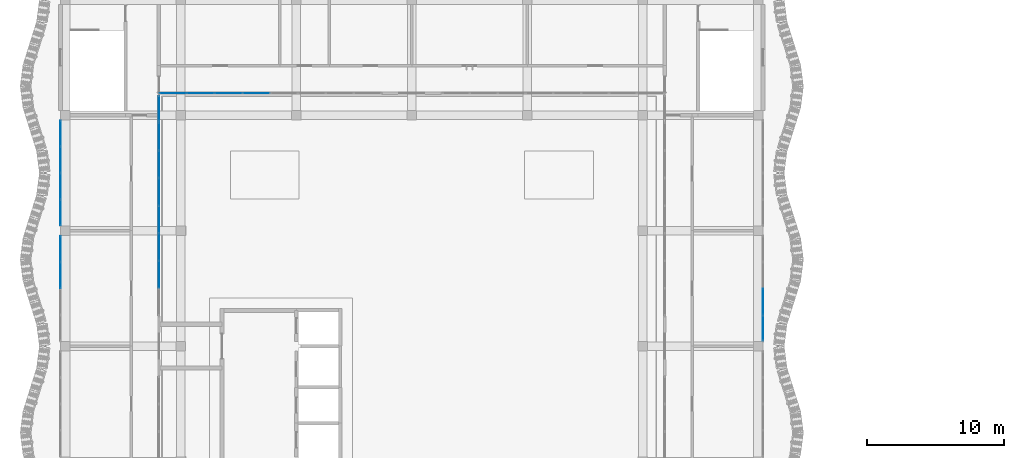
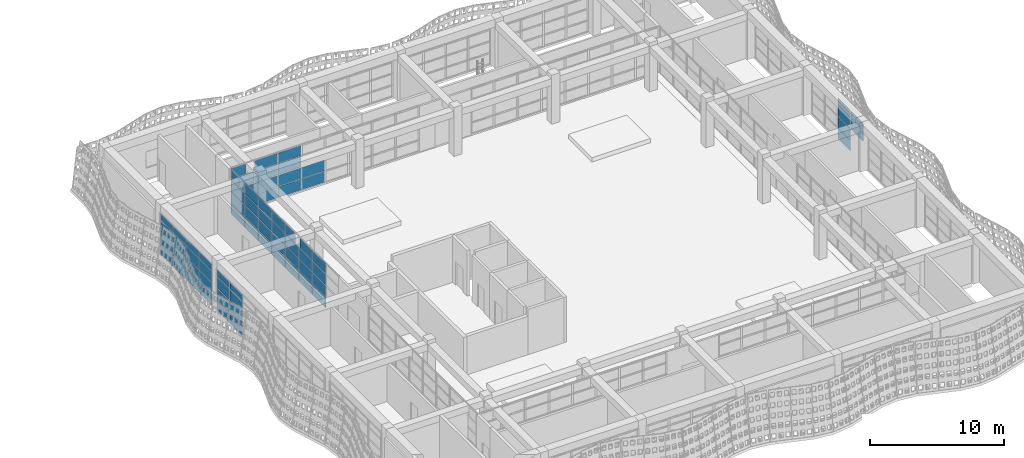
# One storey, part 31 of 85: 72 plates, 5 elements without a shape of their own.
"""IFC4 building model written with IfcOpenShell, lengths in metres."""

from ifc_helpers import new_model, si_unit, direction, frame, origin, origin_2d, place, context, subcontext, project, spatial, rectangle, extrude, material, layer, layer_set, type_object, element, aggregate, save


model = new_model("IFC4")

# Units and contexts
model_context = context("Model", 3, precision=1e-05, world=origin(), true_north=direction((0.0, 1.0)))
body_context = subcontext(model_context, "Body", "Model", "MODEL_VIEW")
ifc_project = project(units=[si_unit("LENGTHUNIT", "METRE"), si_unit("AREAUNIT", "SQUARE_METRE"), si_unit("VOLUMEUNIT", "CUBIC_METRE"), si_unit("PLANEANGLEUNIT", "RADIAN"), si_unit("MASSUNIT", "GRAM", prefix="KILO")], contexts=[model_context])

# Site, building, storey
site_placement = place(None, origin())
site = spatial("IfcSite", under=ifc_project, at=site_placement, CompositionType="ELEMENT")
building_placement = place(site_placement, origin())
building = spatial("IfcBuilding", under=site, at=building_placement, Name="Rain Tree Exposition and Congress Centre", CompositionType="ELEMENT")
storey_placement = place(building_placement, frame((0.0, 0.0, 15.0)))
storey = spatial("IfcBuildingStorey", under=building, at=storey_placement, Name="L03", CompositionType="ELEMENT", Elevation=15.0)

# Curtain wall, plates
ifc_material_1 = material(Name="Aluminium curtain wall", Category="aluminium")
curtain_wall_type = type_object("IfcCurtainWallType", Name="Wing curtain wall 1925", PredefinedType="NOTDEFINED", material=ifc_material_1)
curtain_wall_1_placement = place(storey_placement, origin())
curtain_wall_1 = element("IfcCurtainWall", 1, at=curtain_wall_1_placement, inside=storey, type_object=curtain_wall_type, Name="Curtain wall CWW410", PredefinedType="NOTDEFINED")
ifc_material_2 = material(Name="Double glazed unit", Category="glass")
ifc_layer = layer(ifc_material_2, 0.028076171875)
ifc_layer_set = layer_set([ifc_layer], Name="Double glazed unit")
plate_type = type_object("IfcPlateType", Name="Wing glazing panel 28", PredefinedType="CURTAIN_PANEL", material=ifc_layer_set)
plate_1_placement = place(storey_placement, frame((-0.35009765625, 30.362548828125, 0.06005859375), z_axis=(0.0, 0.0, 1.0), x_axis=(0.0, 1.0, 0.0)))
plate_1 = element("IfcPlate", 2, at=plate_1_placement, type_object=plate_type, Name="CWW410 panel 3.1", PredefinedType="CURTAIN_PANEL", context=body_context, shape_type="SweptSolid", body=[
    extrude(rectangle(XDim=1.864990234375, YDim=0.028076171875, at=origin_2d()), origin(), (0.0, 0.0, 1.0), 0.9599609375),
])
plate_2_placement = place(storey_placement, frame((-0.35009765625, 30.362548828125, 1.080078125), z_axis=(0.0, 0.0, 1.0), x_axis=(0.0, 1.0, 0.0)))
plate_2 = element("IfcPlate", 3, at=plate_2_placement, type_object=plate_type, Name="CWW410 panel 3.2", PredefinedType="CURTAIN_PANEL", context=body_context, shape_type="SweptSolid", body=[
    extrude(rectangle(XDim=1.864990234375, YDim=0.028076171875, at=origin_2d()), origin(), (0.0, 0.0, 1.0), 0.989990234375),
])
plate_3_placement = place(storey_placement, frame((-0.35009765625, 30.362548828125, 2.1298828125), z_axis=(0.0, 0.0, 1.0), x_axis=(0.0, 1.0, 0.0)))
plate_3 = element("IfcPlate", 4, at=plate_3_placement, type_object=plate_type, Name="CWW410 panel 3.3", PredefinedType="CURTAIN_PANEL", context=body_context, shape_type="SweptSolid", body=[
    extrude(rectangle(XDim=1.864990234375, YDim=0.028076171875, at=origin_2d()), origin(), (0.0, 0.0, 1.0), 0.989990234375),
])
plate_4_placement = place(storey_placement, frame((-0.35009765625, 30.362548828125, 3.179931640625), z_axis=(0.0, 0.0, 1.0), x_axis=(0.0, 1.0, 0.0)))
plate_4 = element("IfcPlate", 5, at=plate_4_placement, type_object=plate_type, Name="CWW410 panel 3.4", PredefinedType="CURTAIN_PANEL", context=body_context, shape_type="SweptSolid", body=[
    extrude(rectangle(XDim=1.864990234375, YDim=0.028076171875, at=origin_2d()), origin(), (0.0, 0.0, 1.0), 0.56005859375),
])
plate_5_placement = place(storey_placement, frame((-0.35009765625, 32.2724609375, 0.06005859375), z_axis=(0.0, 0.0, 1.0), x_axis=(0.0, 1.0, 0.0)))
plate_5 = element("IfcPlate", 6, at=plate_5_placement, type_object=plate_type, Name="CWW410 panel 4.1", PredefinedType="CURTAIN_PANEL", context=body_context, shape_type="SweptSolid", body=[
    extrude(rectangle(XDim=1.8349609375, YDim=0.028076171875, at=origin_2d()), origin(), (0.0, 0.0, 1.0), 0.9599609375),
])
plate_6_placement = place(storey_placement, frame((-0.35009765625, 32.2724609375, 1.080078125), z_axis=(0.0, 0.0, 1.0), x_axis=(0.0, 1.0, 0.0)))
plate_6 = element("IfcPlate", 7, at=plate_6_placement, type_object=plate_type, Name="CWW410 panel 4.2", PredefinedType="CURTAIN_PANEL", context=body_context, shape_type="SweptSolid", body=[
    extrude(rectangle(XDim=1.8349609375, YDim=0.028076171875, at=origin_2d()), origin(), (0.0, 0.0, 1.0), 0.989990234375),
])
plate_7_placement = place(storey_placement, frame((-0.35009765625, 32.2724609375, 2.1298828125), z_axis=(0.0, 0.0, 1.0), x_axis=(0.0, 1.0, 0.0)))
plate_7 = element("IfcPlate", 8, at=plate_7_placement, type_object=plate_type, Name="CWW410 panel 4.3", PredefinedType="CURTAIN_PANEL", context=body_context, shape_type="SweptSolid", body=[
    extrude(rectangle(XDim=1.8349609375, YDim=0.028076171875, at=origin_2d()), origin(), (0.0, 0.0, 1.0), 0.989990234375),
])
plate_8_placement = place(storey_placement, frame((-0.35009765625, 32.2724609375, 3.179931640625), z_axis=(0.0, 0.0, 1.0), x_axis=(0.0, 1.0, 0.0)))
plate_8 = element("IfcPlate", 9, at=plate_8_placement, type_object=plate_type, Name="CWW410 panel 4.4", PredefinedType="CURTAIN_PANEL", context=body_context, shape_type="SweptSolid", body=[
    extrude(rectangle(XDim=1.8349609375, YDim=0.028076171875, at=origin_2d()), origin(), (0.0, 0.0, 1.0), 0.56005859375),
])
aggregate(curtain_wall_1, [plate_1, plate_2, plate_3, plate_4, plate_5, plate_6, plate_7, plate_8])

curtain_wall_2_placement = place(storey_placement, origin())
curtain_wall_2 = element("IfcCurtainWall", 10, at=curtain_wall_2_placement, inside=storey, type_object=curtain_wall_type, Name="Curtain wall CWW411", PredefinedType="NOTDEFINED")
plate_9_placement = place(storey_placement, frame((-0.35009765625, 34.927490234375, 0.06005859375), z_axis=(0.0, 0.0, 1.0), x_axis=(0.0, 1.0, 0.0)))
plate_9 = element("IfcPlate", 11, at=plate_9_placement, type_object=plate_type, Name="CWW411 panel 1.1", PredefinedType="CURTAIN_PANEL", context=body_context, shape_type="SweptSolid", body=[
    extrude(rectangle(XDim=1.8349609375, YDim=0.028076171875, at=origin_2d()), origin(), (0.0, 0.0, 1.0), 0.9599609375),
])
plate_10_placement = place(storey_placement, frame((-0.35009765625, 34.927490234375, 1.080078125), z_axis=(0.0, 0.0, 1.0), x_axis=(0.0, 1.0, 0.0)))
plate_10 = element("IfcPlate", 12, at=plate_10_placement, type_object=plate_type, Name="CWW411 panel 1.2", PredefinedType="CURTAIN_PANEL", context=body_context, shape_type="SweptSolid", body=[
    extrude(rectangle(XDim=1.8349609375, YDim=0.028076171875, at=origin_2d()), origin(), (0.0, 0.0, 1.0), 0.989990234375),
])
plate_11_placement = place(storey_placement, frame((-0.35009765625, 34.927490234375, 2.1298828125), z_axis=(0.0, 0.0, 1.0), x_axis=(0.0, 1.0, 0.0)))
plate_11 = element("IfcPlate", 13, at=plate_11_placement, type_object=plate_type, Name="CWW411 panel 1.3", PredefinedType="CURTAIN_PANEL", context=body_context, shape_type="SweptSolid", body=[
    extrude(rectangle(XDim=1.8349609375, YDim=0.028076171875, at=origin_2d()), origin(), (0.0, 0.0, 1.0), 0.989990234375),
])
plate_12_placement = place(storey_placement, frame((-0.35009765625, 34.927490234375, 3.179931640625), z_axis=(0.0, 0.0, 1.0), x_axis=(0.0, 1.0, 0.0)))
plate_12 = element("IfcPlate", 14, at=plate_12_placement, type_object=plate_type, Name="CWW411 panel 1.4", PredefinedType="CURTAIN_PANEL", context=body_context, shape_type="SweptSolid", body=[
    extrude(rectangle(XDim=1.8349609375, YDim=0.028076171875, at=origin_2d()), origin(), (0.0, 0.0, 1.0), 0.56005859375),
])
plate_13_placement = place(storey_placement, frame((-0.35009765625, 36.83740234375, 0.06005859375), z_axis=(0.0, 0.0, 1.0), x_axis=(0.0, 1.0, 0.0)))
plate_13 = element("IfcPlate", 15, at=plate_13_placement, type_object=plate_type, Name="CWW411 panel 2.1", PredefinedType="CURTAIN_PANEL", context=body_context, shape_type="SweptSolid", body=[
    extrude(rectangle(XDim=1.864990234375, YDim=0.028076171875, at=origin_2d()), origin(), (0.0, 0.0, 1.0), 0.9599609375),
])
plate_14_placement = place(storey_placement, frame((-0.35009765625, 36.83740234375, 1.080078125), z_axis=(0.0, 0.0, 1.0), x_axis=(0.0, 1.0, 0.0)))
plate_14 = element("IfcPlate", 16, at=plate_14_placement, type_object=plate_type, Name="CWW411 panel 2.2", PredefinedType="CURTAIN_PANEL", context=body_context, shape_type="SweptSolid", body=[
    extrude(rectangle(XDim=1.864990234375, YDim=0.028076171875, at=origin_2d()), origin(), (0.0, 0.0, 1.0), 0.989990234375),
])
plate_15_placement = place(storey_placement, frame((-0.35009765625, 36.83740234375, 2.1298828125), z_axis=(0.0, 0.0, 1.0), x_axis=(0.0, 1.0, 0.0)))
plate_15 = element("IfcPlate", 17, at=plate_15_placement, type_object=plate_type, Name="CWW411 panel 2.3", PredefinedType="CURTAIN_PANEL", context=body_context, shape_type="SweptSolid", body=[
    extrude(rectangle(XDim=1.864990234375, YDim=0.028076171875, at=origin_2d()), origin(), (0.0, 0.0, 1.0), 0.989990234375),
])
plate_16_placement = place(storey_placement, frame((-0.35009765625, 36.83740234375, 3.179931640625), z_axis=(0.0, 0.0, 1.0), x_axis=(0.0, 1.0, 0.0)))
plate_16 = element("IfcPlate", 18, at=plate_16_placement, type_object=plate_type, Name="CWW411 panel 2.4", PredefinedType="CURTAIN_PANEL", context=body_context, shape_type="SweptSolid", body=[
    extrude(rectangle(XDim=1.864990234375, YDim=0.028076171875, at=origin_2d()), origin(), (0.0, 0.0, 1.0), 0.56005859375),
])
plate_17_placement = place(storey_placement, frame((-0.35009765625, 38.762451171875, 0.06005859375), z_axis=(0.0, 0.0, 1.0), x_axis=(0.0, 1.0, 0.0)))
plate_17 = element("IfcPlate", 19, at=plate_17_placement, type_object=plate_type, Name="CWW411 panel 3.1", PredefinedType="CURTAIN_PANEL", context=body_context, shape_type="SweptSolid", body=[
    extrude(rectangle(XDim=1.864990234375, YDim=0.028076171875, at=origin_2d()), origin(), (0.0, 0.0, 1.0), 0.9599609375),
])
plate_18_placement = place(storey_placement, frame((-0.35009765625, 38.762451171875, 1.080078125), z_axis=(0.0, 0.0, 1.0), x_axis=(0.0, 1.0, 0.0)))
plate_18 = element("IfcPlate", 20, at=plate_18_placement, type_object=plate_type, Name="CWW411 panel 3.2", PredefinedType="CURTAIN_PANEL", context=body_context, shape_type="SweptSolid", body=[
    extrude(rectangle(XDim=1.864990234375, YDim=0.028076171875, at=origin_2d()), origin(), (0.0, 0.0, 1.0), 0.989990234375),
])
plate_19_placement = place(storey_placement, frame((-0.35009765625, 38.762451171875, 2.1298828125), z_axis=(0.0, 0.0, 1.0), x_axis=(0.0, 1.0, 0.0)))
plate_19 = element("IfcPlate", 21, at=plate_19_placement, type_object=plate_type, Name="CWW411 panel 3.3", PredefinedType="CURTAIN_PANEL", context=body_context, shape_type="SweptSolid", body=[
    extrude(rectangle(XDim=1.864990234375, YDim=0.028076171875, at=origin_2d()), origin(), (0.0, 0.0, 1.0), 0.989990234375),
])
plate_20_placement = place(storey_placement, frame((-0.35009765625, 38.762451171875, 3.179931640625), z_axis=(0.0, 0.0, 1.0), x_axis=(0.0, 1.0, 0.0)))
plate_20 = element("IfcPlate", 22, at=plate_20_placement, type_object=plate_type, Name="CWW411 panel 3.4", PredefinedType="CURTAIN_PANEL", context=body_context, shape_type="SweptSolid", body=[
    extrude(rectangle(XDim=1.864990234375, YDim=0.028076171875, at=origin_2d()), origin(), (0.0, 0.0, 1.0), 0.56005859375),
])
plate_21_placement = place(storey_placement, frame((-0.35009765625, 40.672607421875, 0.06005859375), z_axis=(0.0, 0.0, 1.0), x_axis=(0.0, 1.0, 0.0)))
plate_21 = element("IfcPlate", 23, at=plate_21_placement, type_object=plate_type, Name="CWW411 panel 4.1", PredefinedType="CURTAIN_PANEL", context=body_context, shape_type="SweptSolid", body=[
    extrude(rectangle(XDim=1.8349609375, YDim=0.028076171875, at=origin_2d()), origin(), (0.0, 0.0, 1.0), 0.9599609375),
])
plate_22_placement = place(storey_placement, frame((-0.35009765625, 40.672607421875, 1.080078125), z_axis=(0.0, 0.0, 1.0), x_axis=(0.0, 1.0, 0.0)))
plate_22 = element("IfcPlate", 24, at=plate_22_placement, type_object=plate_type, Name="CWW411 panel 4.2", PredefinedType="CURTAIN_PANEL", context=body_context, shape_type="SweptSolid", body=[
    extrude(rectangle(XDim=1.8349609375, YDim=0.028076171875, at=origin_2d()), origin(), (0.0, 0.0, 1.0), 0.989990234375),
])
plate_23_placement = place(storey_placement, frame((-0.35009765625, 40.672607421875, 2.1298828125), z_axis=(0.0, 0.0, 1.0), x_axis=(0.0, 1.0, 0.0)))
plate_23 = element("IfcPlate", 25, at=plate_23_placement, type_object=plate_type, Name="CWW411 panel 4.3", PredefinedType="CURTAIN_PANEL", context=body_context, shape_type="SweptSolid", body=[
    extrude(rectangle(XDim=1.8349609375, YDim=0.028076171875, at=origin_2d()), origin(), (0.0, 0.0, 1.0), 0.989990234375),
])
plate_24_placement = place(storey_placement, frame((-0.35009765625, 40.672607421875, 3.179931640625), z_axis=(0.0, 0.0, 1.0), x_axis=(0.0, 1.0, 0.0)))
plate_24 = element("IfcPlate", 26, at=plate_24_placement, type_object=plate_type, Name="CWW411 panel 4.4", PredefinedType="CURTAIN_PANEL", context=body_context, shape_type="SweptSolid", body=[
    extrude(rectangle(XDim=1.8349609375, YDim=0.028076171875, at=origin_2d()), origin(), (0.0, 0.0, 1.0), 0.56005859375),
])
aggregate(curtain_wall_2, [plate_9, plate_10, plate_11, plate_12, plate_13, plate_14, plate_15, plate_16, plate_17, plate_18, plate_19, plate_20, plate_21, plate_22, plate_23, plate_24])

curtain_wall_3_placement = place(storey_placement, origin())
curtain_wall_3 = element("IfcCurtainWall", 27, at=curtain_wall_3_placement, inside=storey, type_object=curtain_wall_type, Name="Curtain wall CWW414", PredefinedType="NOTDEFINED")
plate_25_placement = place(storey_placement, frame((50.75, 26.527587890625, 2.1298828125), z_axis=(0.0, 0.0, 1.0), x_axis=(0.0, 1.0, 0.0)))
plate_25 = element("IfcPlate", 28, at=plate_25_placement, type_object=plate_type, Name="CWW414 panel 1.3", PredefinedType="CURTAIN_PANEL", context=body_context, shape_type="SweptSolid", body=[
    extrude(rectangle(XDim=1.8349609375, YDim=0.028076171875, at=origin_2d()), origin(), (0.0, 0.0, 1.0), 0.989990234375),
])
plate_26_placement = place(storey_placement, frame((50.75, 26.527587890625, 3.179931640625), z_axis=(0.0, 0.0, 1.0), x_axis=(0.0, 1.0, 0.0)))
plate_26 = element("IfcPlate", 29, at=plate_26_placement, type_object=plate_type, Name="CWW414 panel 1.4", PredefinedType="CURTAIN_PANEL", context=body_context, shape_type="SweptSolid", body=[
    extrude(rectangle(XDim=1.8349609375, YDim=0.028076171875, at=origin_2d()), origin(), (0.0, 0.0, 1.0), 0.56005859375),
])
plate_27_placement = place(storey_placement, frame((50.75, 28.4375, 0.06005859375), z_axis=(0.0, 0.0, 1.0), x_axis=(0.0, 1.0, 0.0)))
plate_27 = element("IfcPlate", 30, at=plate_27_placement, type_object=plate_type, Name="CWW414 panel 2.1", PredefinedType="CURTAIN_PANEL", context=body_context, shape_type="SweptSolid", body=[
    extrude(rectangle(XDim=1.864990234375, YDim=0.028076171875, at=origin_2d()), origin(), (0.0, 0.0, 1.0), 0.9599609375),
])
plate_28_placement = place(storey_placement, frame((50.75, 28.4375, 1.080078125), z_axis=(0.0, 0.0, 1.0), x_axis=(0.0, 1.0, 0.0)))
plate_28 = element("IfcPlate", 31, at=plate_28_placement, type_object=plate_type, Name="CWW414 panel 2.2", PredefinedType="CURTAIN_PANEL", context=body_context, shape_type="SweptSolid", body=[
    extrude(rectangle(XDim=1.864990234375, YDim=0.028076171875, at=origin_2d()), origin(), (0.0, 0.0, 1.0), 0.989990234375),
])
plate_29_placement = place(storey_placement, frame((50.75, 28.4375, 2.1298828125), z_axis=(0.0, 0.0, 1.0), x_axis=(0.0, 1.0, 0.0)))
plate_29 = element("IfcPlate", 32, at=plate_29_placement, type_object=plate_type, Name="CWW414 panel 2.3", PredefinedType="CURTAIN_PANEL", context=body_context, shape_type="SweptSolid", body=[
    extrude(rectangle(XDim=1.864990234375, YDim=0.028076171875, at=origin_2d()), origin(), (0.0, 0.0, 1.0), 0.989990234375),
])
plate_30_placement = place(storey_placement, frame((50.75, 28.4375, 3.179931640625), z_axis=(0.0, 0.0, 1.0), x_axis=(0.0, 1.0, 0.0)))
plate_30 = element("IfcPlate", 33, at=plate_30_placement, type_object=plate_type, Name="CWW414 panel 2.4", PredefinedType="CURTAIN_PANEL", context=body_context, shape_type="SweptSolid", body=[
    extrude(rectangle(XDim=1.864990234375, YDim=0.028076171875, at=origin_2d()), origin(), (0.0, 0.0, 1.0), 0.56005859375),
])
aggregate(curtain_wall_3, [plate_25, plate_26, plate_27, plate_28, plate_29, plate_30])

curtain_wall_4_placement = place(storey_placement, origin())
curtain_wall_4 = element("IfcCurtainWall", 34, at=curtain_wall_4_placement, inside=storey, type_object=curtain_wall_type, Name="Curtain wall CWW503", PredefinedType="NOTDEFINED")
plate_31_placement = place(storey_placement, frame((7.827392578125, 43.60009765625, 0.06005859375), z_axis=(0.0, 0.0, 1.0), x_axis=(1.0, 0.0, 0.0)))
plate_31 = element("IfcPlate", 35, at=plate_31_placement, type_object=plate_type, Name="CWW503 panel 1.1", PredefinedType="CURTAIN_PANEL", context=body_context, shape_type="SweptSolid", body=[
    extrude(rectangle(XDim=1.93505859375, YDim=0.028076171875, at=origin_2d()), origin(), (0.0, 0.0, 1.0), 0.9599609375),
])
plate_32_placement = place(storey_placement, frame((7.827392578125, 43.60009765625, 1.080078125), z_axis=(0.0, 0.0, 1.0), x_axis=(1.0, 0.0, 0.0)))
plate_32 = element("IfcPlate", 36, at=plate_32_placement, type_object=plate_type, Name="CWW503 panel 1.2", PredefinedType="CURTAIN_PANEL", context=body_context, shape_type="SweptSolid", body=[
    extrude(rectangle(XDim=1.93505859375, YDim=0.028076171875, at=origin_2d()), origin(), (0.0, 0.0, 1.0), 0.989990234375),
])
plate_33_placement = place(storey_placement, frame((7.827392578125, 43.60009765625, 2.1298828125), z_axis=(0.0, 0.0, 1.0), x_axis=(1.0, 0.0, 0.0)))
plate_33 = element("IfcPlate", 37, at=plate_33_placement, type_object=plate_type, Name="CWW503 panel 1.3", PredefinedType="CURTAIN_PANEL", context=body_context, shape_type="SweptSolid", body=[
    extrude(rectangle(XDim=1.93505859375, YDim=0.028076171875, at=origin_2d()), origin(), (0.0, 0.0, 1.0), 0.989990234375),
])
plate_34_placement = place(storey_placement, frame((7.465087890625, 43.60009765625, 3.18017578125), z_axis=(0.0, 0.0, 1.0), x_axis=(1.0, 0.0, 0.0)))
plate_34 = element("IfcPlate", 38, at=plate_34_placement, type_object=plate_type, Name="CWW503 panel 1.4", PredefinedType="CURTAIN_PANEL", context=body_context, shape_type="SweptSolid", body=[
    extrude(rectangle(XDim=1.2099609375, YDim=0.028076171875, at=origin_2d()), origin(), (0.0, 0.0, 1.0), 0.909912109375),
])
plate_35_placement = place(storey_placement, frame((9.83740234375, 43.60009765625, 0.06005859375), z_axis=(0.0, 0.0, 1.0), x_axis=(1.0, 0.0, 0.0)))
plate_35 = element("IfcPlate", 39, at=plate_35_placement, type_object=plate_type, Name="CWW503 panel 2.1", PredefinedType="CURTAIN_PANEL", context=body_context, shape_type="SweptSolid", body=[
    extrude(rectangle(XDim=1.965087890625, YDim=0.028076171875, at=origin_2d()), origin(), (0.0, 0.0, 1.0), 0.9599609375),
])
plate_36_placement = place(storey_placement, frame((9.83740234375, 43.60009765625, 1.080078125), z_axis=(0.0, 0.0, 1.0), x_axis=(1.0, 0.0, 0.0)))
plate_36 = element("IfcPlate", 40, at=plate_36_placement, type_object=plate_type, Name="CWW503 panel 2.2", PredefinedType="CURTAIN_PANEL", context=body_context, shape_type="SweptSolid", body=[
    extrude(rectangle(XDim=1.965087890625, YDim=0.028076171875, at=origin_2d()), origin(), (0.0, 0.0, 1.0), 0.989990234375),
])
plate_37_placement = place(storey_placement, frame((9.83740234375, 43.60009765625, 2.1298828125), z_axis=(0.0, 0.0, 1.0), x_axis=(1.0, 0.0, 0.0)))
plate_37 = element("IfcPlate", 41, at=plate_37_placement, type_object=plate_type, Name="CWW503 panel 2.3", PredefinedType="CURTAIN_PANEL", context=body_context, shape_type="SweptSolid", body=[
    extrude(rectangle(XDim=1.965087890625, YDim=0.028076171875, at=origin_2d()), origin(), (0.0, 0.0, 1.0), 0.989990234375),
])
plate_38_placement = place(storey_placement, frame((9.83740234375, 43.60009765625, 3.18017578125), z_axis=(0.0, 0.0, 1.0), x_axis=(1.0, 0.0, 0.0)))
plate_38 = element("IfcPlate", 42, at=plate_38_placement, type_object=plate_type, Name="CWW503 panel 2.4", PredefinedType="CURTAIN_PANEL", context=body_context, shape_type="SweptSolid", body=[
    extrude(rectangle(XDim=1.965087890625, YDim=0.028076171875, at=origin_2d()), origin(), (0.0, 0.0, 1.0), 0.909912109375),
])
plate_39_placement = place(storey_placement, frame((11.862548828125, 43.60009765625, 0.06005859375), z_axis=(0.0, 0.0, 1.0), x_axis=(1.0, 0.0, 0.0)))
plate_39 = element("IfcPlate", 43, at=plate_39_placement, type_object=plate_type, Name="CWW503 panel 3.1", PredefinedType="CURTAIN_PANEL", context=body_context, shape_type="SweptSolid", body=[
    extrude(rectangle(XDim=1.965087890625, YDim=0.028076171875, at=origin_2d()), origin(), (0.0, 0.0, 1.0), 0.9599609375),
])
plate_40_placement = place(storey_placement, frame((11.862548828125, 43.60009765625, 1.080078125), z_axis=(0.0, 0.0, 1.0), x_axis=(1.0, 0.0, 0.0)))
plate_40 = element("IfcPlate", 44, at=plate_40_placement, type_object=plate_type, Name="CWW503 panel 3.2", PredefinedType="CURTAIN_PANEL", context=body_context, shape_type="SweptSolid", body=[
    extrude(rectangle(XDim=1.965087890625, YDim=0.028076171875, at=origin_2d()), origin(), (0.0, 0.0, 1.0), 0.989990234375),
])
plate_41_placement = place(storey_placement, frame((11.862548828125, 43.60009765625, 2.1298828125), z_axis=(0.0, 0.0, 1.0), x_axis=(1.0, 0.0, 0.0)))
plate_41 = element("IfcPlate", 45, at=plate_41_placement, type_object=plate_type, Name="CWW503 panel 3.3", PredefinedType="CURTAIN_PANEL", context=body_context, shape_type="SweptSolid", body=[
    extrude(rectangle(XDim=1.965087890625, YDim=0.028076171875, at=origin_2d()), origin(), (0.0, 0.0, 1.0), 0.989990234375),
])
plate_42_placement = place(storey_placement, frame((11.862548828125, 43.60009765625, 3.18017578125), z_axis=(0.0, 0.0, 1.0), x_axis=(1.0, 0.0, 0.0)))
plate_42 = element("IfcPlate", 46, at=plate_42_placement, type_object=plate_type, Name="CWW503 panel 3.4", PredefinedType="CURTAIN_PANEL", context=body_context, shape_type="SweptSolid", body=[
    extrude(rectangle(XDim=1.965087890625, YDim=0.028076171875, at=origin_2d()), origin(), (0.0, 0.0, 1.0), 0.909912109375),
])
plate_43_placement = place(storey_placement, frame((13.887451171875, 43.60009765625, 0.06005859375), z_axis=(0.0, 0.0, 1.0), x_axis=(1.0, 0.0, 0.0)))
plate_43 = element("IfcPlate", 47, at=plate_43_placement, type_object=plate_type, Name="CWW503 panel 4.1", PredefinedType="CURTAIN_PANEL", context=body_context, shape_type="SweptSolid", body=[
    extrude(rectangle(XDim=1.965087890625, YDim=0.028076171875, at=origin_2d()), origin(), (0.0, 0.0, 1.0), 0.9599609375),
])
plate_44_placement = place(storey_placement, frame((13.887451171875, 43.60009765625, 1.080078125), z_axis=(0.0, 0.0, 1.0), x_axis=(1.0, 0.0, 0.0)))
plate_44 = element("IfcPlate", 48, at=plate_44_placement, type_object=plate_type, Name="CWW503 panel 4.2", PredefinedType="CURTAIN_PANEL", context=body_context, shape_type="SweptSolid", body=[
    extrude(rectangle(XDim=1.965087890625, YDim=0.028076171875, at=origin_2d()), origin(), (0.0, 0.0, 1.0), 0.989990234375),
])
aggregate(curtain_wall_4, [plate_31, plate_32, plate_33, plate_34, plate_35, plate_36, plate_37, plate_38, plate_39, plate_40, plate_41, plate_42, plate_43, plate_44])

curtain_wall_5_placement = place(storey_placement, origin())
curtain_wall_5 = element("IfcCurtainWall", 49, at=curtain_wall_5_placement, inside=storey, type_object=curtain_wall_type, Name="Curtain wall CWW506", PredefinedType="NOTDEFINED")
plate_45_placement = place(storey_placement, frame((6.800048828125, 30.409423828125, 0.06005859375), z_axis=(0.0, 0.0, 1.0), x_axis=(0.0, 1.0, 0.0)))
plate_45 = element("IfcPlate", 50, at=plate_45_placement, type_object=plate_type, Name="CWW506 panel 2.1", PredefinedType="CURTAIN_PANEL", context=body_context, shape_type="SweptSolid", body=[
    extrude(rectangle(XDim=1.9462890625, YDim=0.028076171875, at=origin_2d()), origin(), (0.0, 0.0, 1.0), 0.9599609375),
])
plate_46_placement = place(storey_placement, frame((6.800048828125, 30.409423828125, 1.080078125), z_axis=(0.0, 0.0, 1.0), x_axis=(0.0, 1.0, 0.0)))
plate_46 = element("IfcPlate", 51, at=plate_46_placement, type_object=plate_type, Name="CWW506 panel 2.2", PredefinedType="CURTAIN_PANEL", context=body_context, shape_type="SweptSolid", body=[
    extrude(rectangle(XDim=1.9462890625, YDim=0.028076171875, at=origin_2d()), origin(), (0.0, 0.0, 1.0), 0.989990234375),
])
plate_47_placement = place(storey_placement, frame((6.800048828125, 30.409423828125, 2.1298828125), z_axis=(0.0, 0.0, 1.0), x_axis=(0.0, 1.0, 0.0)))
plate_47 = element("IfcPlate", 52, at=plate_47_placement, type_object=plate_type, Name="CWW506 panel 2.3", PredefinedType="CURTAIN_PANEL", context=body_context, shape_type="SweptSolid", body=[
    extrude(rectangle(XDim=1.9462890625, YDim=0.028076171875, at=origin_2d()), origin(), (0.0, 0.0, 1.0), 0.989990234375),
])
plate_48_placement = place(storey_placement, frame((6.800048828125, 30.409423828125, 3.18017578125), z_axis=(0.0, 0.0, 1.0), x_axis=(0.0, 1.0, 0.0)))
plate_48 = element("IfcPlate", 53, at=plate_48_placement, type_object=plate_type, Name="CWW506 panel 2.4", PredefinedType="CURTAIN_PANEL", context=body_context, shape_type="SweptSolid", body=[
    extrude(rectangle(XDim=1.9462890625, YDim=0.028076171875, at=origin_2d()), origin(), (0.0, 0.0, 1.0), 0.909912109375),
])
plate_49_placement = place(storey_placement, frame((6.800048828125, 32.41552734375, 0.06005859375), z_axis=(0.0, 0.0, 1.0), x_axis=(0.0, 1.0, 0.0)))
plate_49 = element("IfcPlate", 54, at=plate_49_placement, type_object=plate_type, Name="CWW506 panel 3.1", PredefinedType="CURTAIN_PANEL", context=body_context, shape_type="SweptSolid", body=[
    extrude(rectangle(XDim=1.9462890625, YDim=0.028076171875, at=origin_2d()), origin(), (0.0, 0.0, 1.0), 0.9599609375),
])
plate_50_placement = place(storey_placement, frame((6.800048828125, 32.41552734375, 1.080078125), z_axis=(0.0, 0.0, 1.0), x_axis=(0.0, 1.0, 0.0)))
plate_50 = element("IfcPlate", 55, at=plate_50_placement, type_object=plate_type, Name="CWW506 panel 3.2", PredefinedType="CURTAIN_PANEL", context=body_context, shape_type="SweptSolid", body=[
    extrude(rectangle(XDim=1.9462890625, YDim=0.028076171875, at=origin_2d()), origin(), (0.0, 0.0, 1.0), 0.989990234375),
])
plate_51_placement = place(storey_placement, frame((6.800048828125, 32.41552734375, 2.1298828125), z_axis=(0.0, 0.0, 1.0), x_axis=(0.0, 1.0, 0.0)))
plate_51 = element("IfcPlate", 56, at=plate_51_placement, type_object=plate_type, Name="CWW506 panel 3.3", PredefinedType="CURTAIN_PANEL", context=body_context, shape_type="SweptSolid", body=[
    extrude(rectangle(XDim=1.9462890625, YDim=0.028076171875, at=origin_2d()), origin(), (0.0, 0.0, 1.0), 0.989990234375),
])
plate_52_placement = place(storey_placement, frame((6.800048828125, 32.356201171875, 3.18017578125), z_axis=(0.0, 0.0, 1.0), x_axis=(0.0, 1.0, 0.0)))
plate_52 = element("IfcPlate", 57, at=plate_52_placement, type_object=plate_type, Name="CWW506 panel 3.4", PredefinedType="CURTAIN_PANEL", context=body_context, shape_type="SweptSolid", body=[
    extrude(rectangle(XDim=1.827392578125, YDim=0.028076171875, at=origin_2d()), origin(), (0.0, 0.0, 1.0), 0.909912109375),
])
plate_53_placement = place(storey_placement, frame((6.800048828125, 34.421875, 0.06005859375), z_axis=(0.0, 0.0, 1.0), x_axis=(0.0, 1.0, 0.0)))
plate_53 = element("IfcPlate", 58, at=plate_53_placement, type_object=plate_type, Name="CWW506 panel 4.1", PredefinedType="CURTAIN_PANEL", context=body_context, shape_type="SweptSolid", body=[
    extrude(rectangle(XDim=1.9462890625, YDim=0.028076171875, at=origin_2d()), origin(), (0.0, 0.0, 1.0), 0.9599609375),
])
plate_54_placement = place(storey_placement, frame((6.800048828125, 34.421875, 1.080078125), z_axis=(0.0, 0.0, 1.0), x_axis=(0.0, 1.0, 0.0)))
plate_54 = element("IfcPlate", 59, at=plate_54_placement, type_object=plate_type, Name="CWW506 panel 4.2", PredefinedType="CURTAIN_PANEL", context=body_context, shape_type="SweptSolid", body=[
    extrude(rectangle(XDim=1.9462890625, YDim=0.028076171875, at=origin_2d()), origin(), (0.0, 0.0, 1.0), 0.989990234375),
])
plate_55_placement = place(storey_placement, frame((6.800048828125, 34.421875, 2.1298828125), z_axis=(0.0, 0.0, 1.0), x_axis=(0.0, 1.0, 0.0)))
plate_55 = element("IfcPlate", 60, at=plate_55_placement, type_object=plate_type, Name="CWW506 panel 4.3", PredefinedType="CURTAIN_PANEL", context=body_context, shape_type="SweptSolid", body=[
    extrude(rectangle(XDim=1.9462890625, YDim=0.028076171875, at=origin_2d()), origin(), (0.0, 0.0, 1.0), 0.989990234375),
])
plate_56_placement = place(storey_placement, frame((6.800048828125, 34.66259765625, 3.18017578125), z_axis=(0.0, 0.0, 1.0), x_axis=(0.0, 1.0, 0.0)))
plate_56 = element("IfcPlate", 61, at=plate_56_placement, type_object=plate_type, Name="CWW506 panel 4.4", PredefinedType="CURTAIN_PANEL", context=body_context, shape_type="SweptSolid", body=[
    extrude(rectangle(XDim=1.465087890625, YDim=0.028076171875, at=origin_2d()), origin(), (0.0, 0.0, 1.0), 0.909912109375),
])
plate_57_placement = place(storey_placement, frame((6.800048828125, 36.42822265625, 0.06005859375), z_axis=(0.0, 0.0, 1.0), x_axis=(0.0, 1.0, 0.0)))
plate_57 = element("IfcPlate", 62, at=plate_57_placement, type_object=plate_type, Name="CWW506 panel 5.1", PredefinedType="CURTAIN_PANEL", context=body_context, shape_type="SweptSolid", body=[
    extrude(rectangle(XDim=1.9462890625, YDim=0.028076171875, at=origin_2d()), origin(), (0.0, 0.0, 1.0), 0.9599609375),
])
plate_58_placement = place(storey_placement, frame((6.800048828125, 36.42822265625, 1.080078125), z_axis=(0.0, 0.0, 1.0), x_axis=(0.0, 1.0, 0.0)))
plate_58 = element("IfcPlate", 63, at=plate_58_placement, type_object=plate_type, Name="CWW506 panel 5.2", PredefinedType="CURTAIN_PANEL", context=body_context, shape_type="SweptSolid", body=[
    extrude(rectangle(XDim=1.9462890625, YDim=0.028076171875, at=origin_2d()), origin(), (0.0, 0.0, 1.0), 0.989990234375),
])
plate_59_placement = place(storey_placement, frame((6.800048828125, 36.42822265625, 2.1298828125), z_axis=(0.0, 0.0, 1.0), x_axis=(0.0, 1.0, 0.0)))
plate_59 = element("IfcPlate", 64, at=plate_59_placement, type_object=plate_type, Name="CWW506 panel 5.3", PredefinedType="CURTAIN_PANEL", context=body_context, shape_type="SweptSolid", body=[
    extrude(rectangle(XDim=1.9462890625, YDim=0.028076171875, at=origin_2d()), origin(), (0.0, 0.0, 1.0), 0.989990234375),
])
plate_60_placement = place(storey_placement, frame((6.800048828125, 36.42822265625, 3.18017578125), z_axis=(0.0, 0.0, 1.0), x_axis=(0.0, 1.0, 0.0)))
plate_60 = element("IfcPlate", 65, at=plate_60_placement, type_object=plate_type, Name="CWW506 panel 5.4", PredefinedType="CURTAIN_PANEL", context=body_context, shape_type="SweptSolid", body=[
    extrude(rectangle(XDim=1.9462890625, YDim=0.028076171875, at=origin_2d()), origin(), (0.0, 0.0, 1.0), 0.909912109375),
])
plate_61_placement = place(storey_placement, frame((6.800048828125, 38.434326171875, 0.06005859375), z_axis=(0.0, 0.0, 1.0), x_axis=(0.0, 1.0, 0.0)))
plate_61 = element("IfcPlate", 66, at=plate_61_placement, type_object=plate_type, Name="CWW506 panel 6.1", PredefinedType="CURTAIN_PANEL", context=body_context, shape_type="SweptSolid", body=[
    extrude(rectangle(XDim=1.9462890625, YDim=0.028076171875, at=origin_2d()), origin(), (0.0, 0.0, 1.0), 0.9599609375),
])
plate_62_placement = place(storey_placement, frame((6.800048828125, 38.434326171875, 1.080078125), z_axis=(0.0, 0.0, 1.0), x_axis=(0.0, 1.0, 0.0)))
plate_62 = element("IfcPlate", 67, at=plate_62_placement, type_object=plate_type, Name="CWW506 panel 6.2", PredefinedType="CURTAIN_PANEL", context=body_context, shape_type="SweptSolid", body=[
    extrude(rectangle(XDim=1.9462890625, YDim=0.028076171875, at=origin_2d()), origin(), (0.0, 0.0, 1.0), 0.989990234375),
])
plate_63_placement = place(storey_placement, frame((6.800048828125, 38.434326171875, 2.1298828125), z_axis=(0.0, 0.0, 1.0), x_axis=(0.0, 1.0, 0.0)))
plate_63 = element("IfcPlate", 68, at=plate_63_placement, type_object=plate_type, Name="CWW506 panel 6.3", PredefinedType="CURTAIN_PANEL", context=body_context, shape_type="SweptSolid", body=[
    extrude(rectangle(XDim=1.9462890625, YDim=0.028076171875, at=origin_2d()), origin(), (0.0, 0.0, 1.0), 0.989990234375),
])
plate_64_placement = place(storey_placement, frame((6.800048828125, 38.434326171875, 3.18017578125), z_axis=(0.0, 0.0, 1.0), x_axis=(0.0, 1.0, 0.0)))
plate_64 = element("IfcPlate", 69, at=plate_64_placement, type_object=plate_type, Name="CWW506 panel 6.4", PredefinedType="CURTAIN_PANEL", context=body_context, shape_type="SweptSolid", body=[
    extrude(rectangle(XDim=1.9462890625, YDim=0.028076171875, at=origin_2d()), origin(), (0.0, 0.0, 1.0), 0.909912109375),
])
plate_65_placement = place(storey_placement, frame((6.800048828125, 40.440673828125, 0.06005859375), z_axis=(0.0, 0.0, 1.0), x_axis=(0.0, 1.0, 0.0)))
plate_65 = element("IfcPlate", 70, at=plate_65_placement, type_object=plate_type, Name="CWW506 panel 7.1", PredefinedType="CURTAIN_PANEL", context=body_context, shape_type="SweptSolid", body=[
    extrude(rectangle(XDim=1.9462890625, YDim=0.028076171875, at=origin_2d()), origin(), (0.0, 0.0, 1.0), 0.9599609375),
])
plate_66_placement = place(storey_placement, frame((6.800048828125, 40.440673828125, 1.080078125), z_axis=(0.0, 0.0, 1.0), x_axis=(0.0, 1.0, 0.0)))
plate_66 = element("IfcPlate", 71, at=plate_66_placement, type_object=plate_type, Name="CWW506 panel 7.2", PredefinedType="CURTAIN_PANEL", context=body_context, shape_type="SweptSolid", body=[
    extrude(rectangle(XDim=1.9462890625, YDim=0.028076171875, at=origin_2d()), origin(), (0.0, 0.0, 1.0), 0.989990234375),
])
plate_67_placement = place(storey_placement, frame((6.800048828125, 40.440673828125, 2.1298828125), z_axis=(0.0, 0.0, 1.0), x_axis=(0.0, 1.0, 0.0)))
plate_67 = element("IfcPlate", 72, at=plate_67_placement, type_object=plate_type, Name="CWW506 panel 7.3", PredefinedType="CURTAIN_PANEL", context=body_context, shape_type="SweptSolid", body=[
    extrude(rectangle(XDim=1.9462890625, YDim=0.028076171875, at=origin_2d()), origin(), (0.0, 0.0, 1.0), 0.989990234375),
])
plate_68_placement = place(storey_placement, frame((6.800048828125, 40.440673828125, 3.18017578125), z_axis=(0.0, 0.0, 1.0), x_axis=(0.0, 1.0, 0.0)))
plate_68 = element("IfcPlate", 73, at=plate_68_placement, type_object=plate_type, Name="CWW506 panel 7.4", PredefinedType="CURTAIN_PANEL", context=body_context, shape_type="SweptSolid", body=[
    extrude(rectangle(XDim=1.9462890625, YDim=0.028076171875, at=origin_2d()), origin(), (0.0, 0.0, 1.0), 0.909912109375),
])
plate_69_placement = place(storey_placement, frame((6.800048828125, 42.431884765625, 0.06005859375), z_axis=(0.0, 0.0, 1.0), x_axis=(0.0, 1.0, 0.0)))
plate_69 = element("IfcPlate", 74, at=plate_69_placement, type_object=plate_type, Name="CWW506 panel 8.1", PredefinedType="CURTAIN_PANEL", context=body_context, shape_type="SweptSolid", body=[
    extrude(rectangle(XDim=1.916259765625, YDim=0.028076171875, at=origin_2d()), origin(), (0.0, 0.0, 1.0), 0.9599609375),
])
plate_70_placement = place(storey_placement, frame((6.800048828125, 42.431884765625, 1.080078125), z_axis=(0.0, 0.0, 1.0), x_axis=(0.0, 1.0, 0.0)))
plate_70 = element("IfcPlate", 75, at=plate_70_placement, type_object=plate_type, Name="CWW506 panel 8.2", PredefinedType="CURTAIN_PANEL", context=body_context, shape_type="SweptSolid", body=[
    extrude(rectangle(XDim=1.916259765625, YDim=0.028076171875, at=origin_2d()), origin(), (0.0, 0.0, 1.0), 0.989990234375),
])
plate_71_placement = place(storey_placement, frame((6.800048828125, 42.431884765625, 2.1298828125), z_axis=(0.0, 0.0, 1.0), x_axis=(0.0, 1.0, 0.0)))
plate_71 = element("IfcPlate", 76, at=plate_71_placement, type_object=plate_type, Name="CWW506 panel 8.3", PredefinedType="CURTAIN_PANEL", context=body_context, shape_type="SweptSolid", body=[
    extrude(rectangle(XDim=1.916259765625, YDim=0.028076171875, at=origin_2d()), origin(), (0.0, 0.0, 1.0), 0.989990234375),
])
plate_72_placement = place(storey_placement, frame((6.800048828125, 42.860107421875, 3.18017578125), z_axis=(0.0, 0.0, 1.0), x_axis=(0.0, 1.0, 0.0)))
plate_72 = element("IfcPlate", 77, at=plate_72_placement, type_object=plate_type, Name="CWW506 panel 8.4.2", PredefinedType="CURTAIN_PANEL", context=body_context, shape_type="SweptSolid", body=[
    extrude(rectangle(XDim=1.06005859375, YDim=0.028076171875, at=origin_2d()), origin(), (0.0, 0.0, 1.0), 0.909912109375),
])
aggregate(curtain_wall_5, [plate_45, plate_46, plate_47, plate_48, plate_49, plate_50, plate_51, plate_52, plate_53, plate_54, plate_55, plate_56, plate_57, plate_58, plate_59, plate_60, plate_61, plate_62, plate_63, plate_64, plate_65, plate_66, plate_67, plate_68, plate_69, plate_70, plate_71, plate_72])

save(model, "model.ifc")
